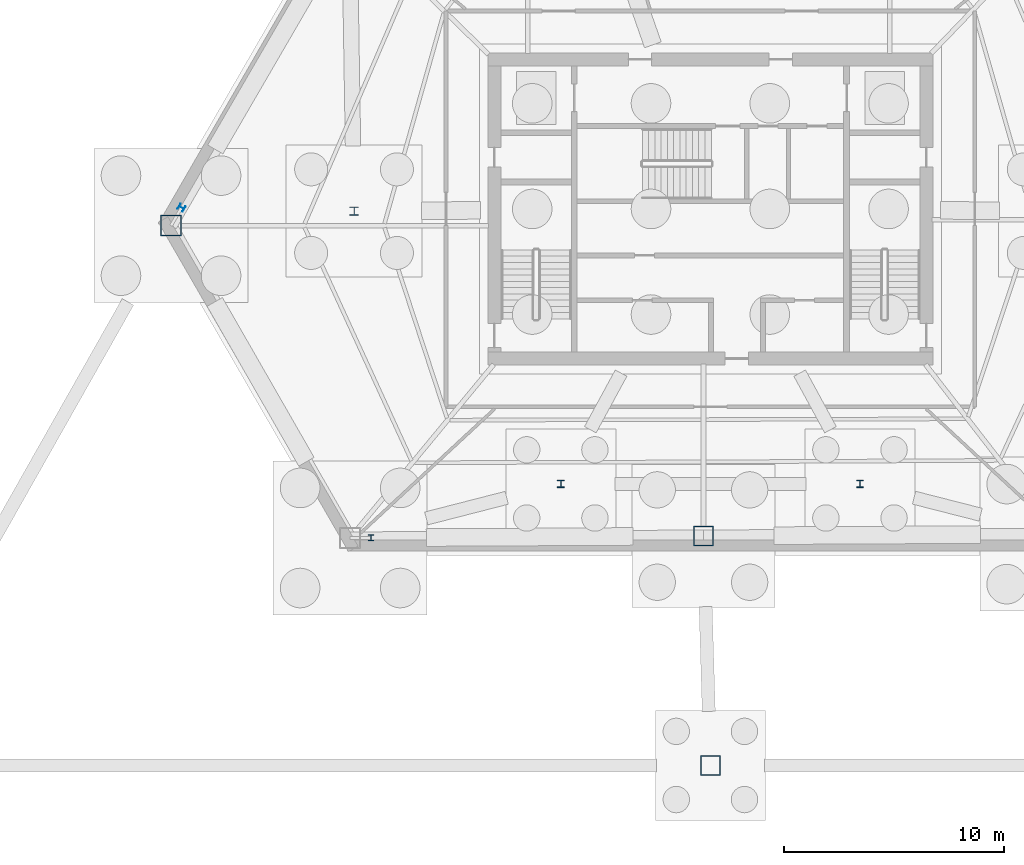
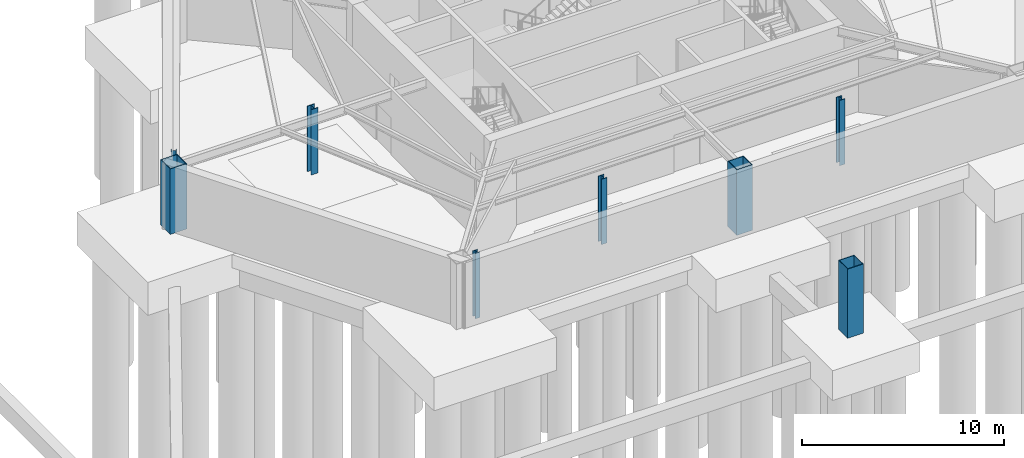
# One storey, part 3 of 11: 8 columns.
"""IFC4 building model written with IfcOpenShell, lengths in metres."""

from ifc_helpers import new_model, si_unit, direction, frame, origin, origin_2d, place, context, subcontext, project, spatial, hollow_rectangle, i_section, extrude, material, material_profile, profile_set, type_object, element, save


model = new_model("IFC4")

# Units and contexts
model_context = context("Model", 3, precision=1e-05, world=origin(), true_north=direction((0.0, 1.0)))
body_context = subcontext(model_context, "Body", "Model", "MODEL_VIEW")
ifc_project = project(units=[si_unit("LENGTHUNIT", "METRE"), si_unit("AREAUNIT", "SQUARE_METRE"), si_unit("VOLUMEUNIT", "CUBIC_METRE"), si_unit("PLANEANGLEUNIT", "RADIAN"), si_unit("MASSUNIT", "GRAM", prefix="KILO")], contexts=[model_context])

# Site, building, storey
site_placement = place(None, origin())
site = spatial("IfcSite", under=ifc_project, at=site_placement, CompositionType="ELEMENT")
building_placement = place(site_placement, origin())
building = spatial("IfcBuilding", under=site, at=building_placement, Name="Kavelnor Concourse Tower", CompositionType="ELEMENT")
storey_placement = place(building_placement, frame((0.0, 0.0, -8.39990234375)))
storey = spatial("IfcBuildingStorey", under=building, at=storey_placement, Name="B02", CompositionType="ELEMENT", Elevation=-8.39990234375)

# Columns
ifc_material = material(Name="Steel Grade 350", Category="steel")
ifc_material_profile_1 = material_profile(ifc_material, i_section(OverallWidth=0.31396484375, OverallDepth=0.340087890625, WebThickness=0.01904296875, FlangeThickness=0.031494140625, at=origin_2d()), Name="UC 305x305x198")
ifc_profile_set_1 = profile_set([ifc_material_profile_1], Name="Steel Grade 350")
column_type_1 = type_object("IfcColumnType", Name="COL-INT-UC305", PredefinedType="COLUMN", material=ifc_profile_set_1)
for number, where, z_axis, x_axis, name in (
    (1, (31.199951171875, 3.60009765625, 0.0), (0.0, 0.0, 1.0), (1.0, 0.0, 0.0), "B02 Interior Column BC-SW"),
    (2, (44.800048828125, 3.60009765625, 0.0), (0.0, 0.0, 1.0), (1.0, 0.0, 0.0), "B02 Interior Column BC-SE"),
):
    element("IfcColumn", number, at=place(storey_placement, frame(where, z_axis=z_axis, x_axis=x_axis)), inside=storey, type_object=column_type_1, Name=name, PredefinedType="COLUMN", context=body_context, shape_type="SweptSolid", body=[
        extrude(i_section(OverallWidth=0.31396484375, OverallDepth=0.340087890625, WebThickness=0.01904296875, FlangeThickness=0.031494140625, at=origin_2d()), origin(), (0.0, 0.0, 1.0), 3.949951171875),
    ])
ifc_material_profile_2 = material_profile(ifc_material, i_section(OverallWidth=0.39892578125, OverallDepth=0.39404296875, WebThickness=0.022705078125, FlangeThickness=0.03662109375, at=origin_2d()), Name="UC 356x406x287")
ifc_profile_set_2 = profile_set([ifc_material_profile_2], Name="Steel Grade 350")
column_type_2 = type_object("IfcColumnType", Name="COL-INT-UC406", PredefinedType="COLUMN", material=ifc_profile_set_2)
column_1_placement = place(storey_placement, frame((21.800048828125, 16.0, 0.0), z_axis=(0.0, 0.0, 1.0), x_axis=(1.0, 0.0, 0.0)))
element("IfcColumn", 3, at=column_1_placement, inside=storey, type_object=column_type_2, Name="B02 Interior Column BC-W1", PredefinedType="COLUMN", context=body_context, shape_type="SweptSolid", body=[
    extrude(i_section(OverallWidth=0.39892578125, OverallDepth=0.39404296875, WebThickness=0.022705078125, FlangeThickness=0.03662109375, at=origin_2d()), origin(), (0.0, 0.0, 1.0), 3.949951171875),
])
ifc_material_profile_3 = material_profile(ifc_material, hollow_rectangle(XDim=0.89990234375, YDim=0.89990234375, WallThickness=0.0380859375, at=origin_2d()), Name="SHS 900x900x38")
ifc_profile_set_3 = profile_set([ifc_material_profile_3], Name="Steel Grade 350")
column_type_3 = type_object("IfcColumnType", Name="COL-MEGA-900", PredefinedType="COLUMN", material=ifc_profile_set_3)
column_2_placement = place(storey_placement, frame((37.68505859375, 1.22998046875, 0.0), z_axis=(0.0, 0.0, 1.0), x_axis=(1.0, 0.0, 0.0)))
element("IfcColumn", 4, at=column_2_placement, inside=storey, type_object=column_type_3, Name="B02 Perimeter Mega Column MC-F1", PredefinedType="COLUMN", context=body_context, shape_type="SweptSolid", body=[
    extrude(hollow_rectangle(XDim=0.89990234375, YDim=0.89990234375, WallThickness=0.0380859375, at=origin_2d()), origin(), (0.0, 0.0, 1.0), 3.949951171875),
])
column_3_placement = place(storey_placement, frame((38.0, -9.199951171875, 0.0), z_axis=(0.0, 0.0, 1.0), x_axis=(1.0, 0.0, 0.0)))
element("IfcColumn", 5, at=column_3_placement, inside=storey, type_object=column_type_3, Name="B02 Plaza Support Column PLZ-S", PredefinedType="COLUMN", context=body_context, shape_type="SweptSolid", body=[
    extrude(hollow_rectangle(XDim=0.89990234375, YDim=0.89990234375, WallThickness=0.0380859375, at=origin_2d()), origin(), (0.0, 0.0, 1.0), 4.179931640625),
])
ifc_material_profile_4 = material_profile(ifc_material, hollow_rectangle(XDim=0.949951171875, YDim=0.949951171875, WallThickness=0.0400390625, at=origin_2d()), Name="SHS 950x950x40")
ifc_profile_set_4 = profile_set([ifc_material_profile_4], Name="Steel Grade 350")
column_type_4 = type_object("IfcColumnType", Name="COL-MEGA-950", PredefinedType="COLUMN", material=ifc_profile_set_4)
column_4_placement = place(storey_placement, frame((13.479736328125, 15.33935546875, 0.0), z_axis=(0.0, 0.0, 1.0), x_axis=(1.0, 0.0, 0.0)))
element("IfcColumn", 6, at=column_4_placement, inside=storey, type_object=column_type_4, Name="B02 Perimeter Mega Column MC-V2", PredefinedType="COLUMN", context=body_context, shape_type="SweptSolid", body=[
    extrude(hollow_rectangle(XDim=0.949951171875, YDim=0.949951171875, WallThickness=0.0400390625, at=origin_2d()), origin(), (0.0, 0.0, 1.0), 3.949951171875),
])
ifc_material_profile_5 = material_profile(ifc_material, i_section(OverallWidth=0.260986328125, OverallDepth=0.27587890625, WebThickness=0.015380859375, FlangeThickness=0.025390625, at=origin_2d()), Name="UC 254x254x132")
ifc_profile_set_5 = profile_set([ifc_material_profile_5], Name="Steel Grade 350")
column_type_5 = type_object("IfcColumnType", Name="COL-PILASTER-250", PredefinedType="PILASTER", material=ifc_profile_set_5)
for number, where, z_axis, x_axis, name in (
    (7, (13.95703125, 16.16064453125, 0.0), (0.0, 0.0, 1.0), (-0.502416446459, -0.864625765478, 0.0), "B02 Brick Pier Stiffener Pilaster F0-B"),
    (8, (22.574462890625, 1.147705078125, 0.0), (0.0, 0.0, 1.0), (0.999985363169, 0.005410494284, 0.0), "B02 Brick Pier Stiffener Pilaster F1-A"),
):
    element("IfcColumn", number, at=place(storey_placement, frame(where, z_axis=z_axis, x_axis=x_axis)), inside=storey, type_object=column_type_5, Name=name, PredefinedType="PILASTER", context=body_context, shape_type="SweptSolid", body=[
        extrude(i_section(OverallWidth=0.260986328125, OverallDepth=0.27587890625, WebThickness=0.015380859375, FlangeThickness=0.025390625, at=origin_2d()), origin(), (0.0, 0.0, 1.0), 3.949951171875),
    ])

save(model, "model.ifc")
